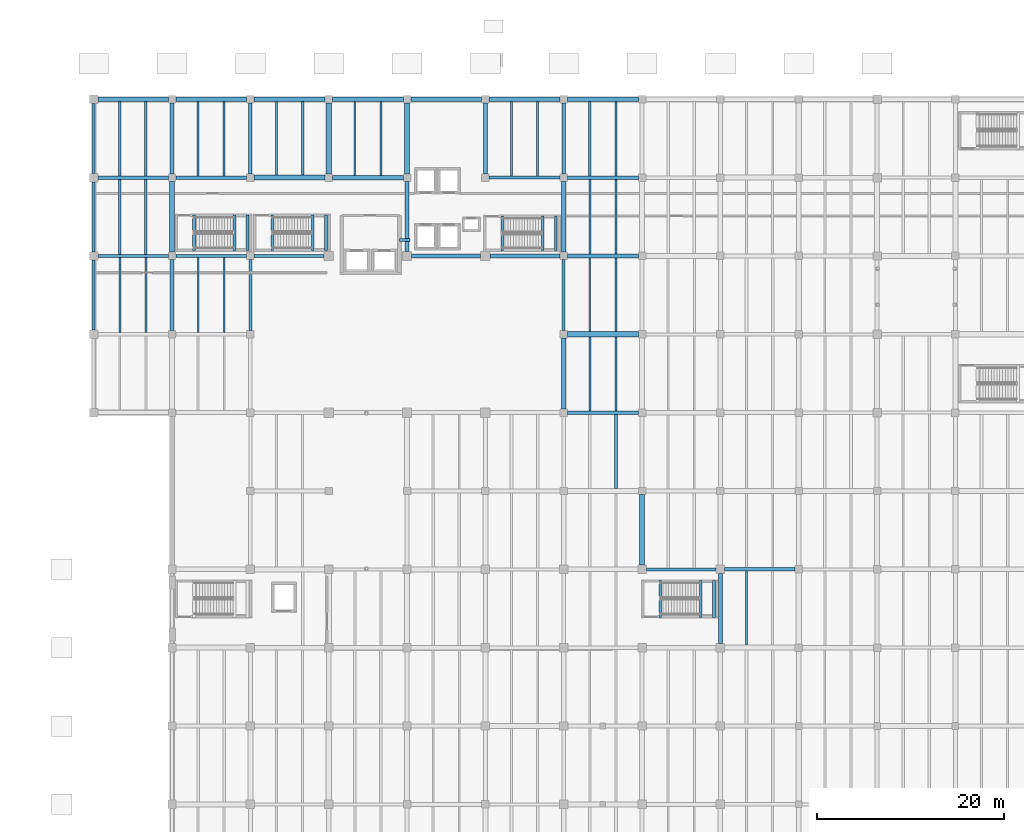
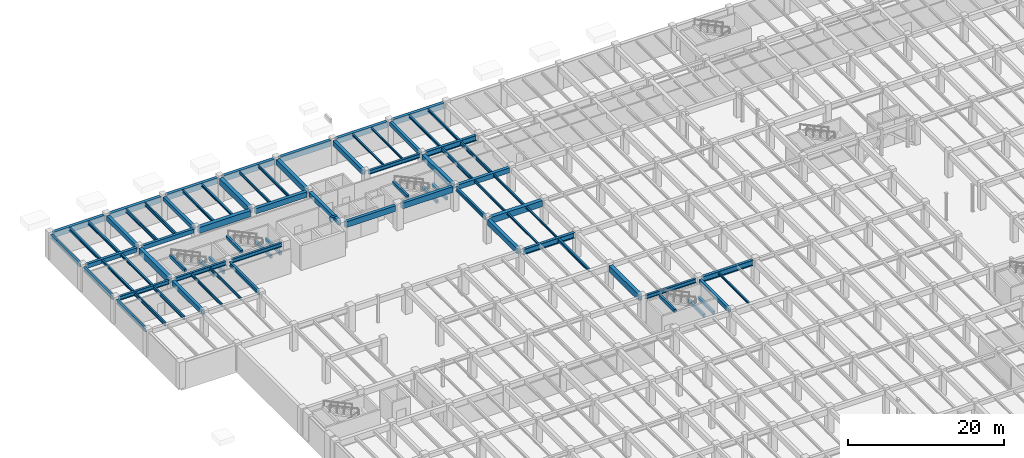
# One storey, part 19 of 63: 80 beams.
"""IFC4 building model written with IfcOpenShell, lengths in metres."""

import ifcopenshell
import ifcopenshell.guid

model = None  # the IFC model being written
_history = None  # IfcOwnerHistory: only IFC2X3 demands one
_inside = {}  # id of a spatial element -> (the spatial element, [elements in it])
_under = {}  # id of a project, library or spatial element -> (it, [spatial elements below it])
_declared = {}  # id of a project -> (the project, [libraries it declares])
_typed = {}  # id of a type object -> (the type object, [elements of that type])
_made_of = {}  # id of a material, layer set ... -> (it, [elements and type objects made of it])


def new_model(schema):
    """Start an empty IFC model of exactly this schema.

    Asked for "IFC4X3", IfcOpenShell would pick the latest addendum, in which some entities
    have other attributes; the version numbers below select the first issue.
    IFC2X3 requires an IfcOwnerHistory on every rooted entity: one is made here for all.
    """
    global model, _history
    if schema == "IFC4X3":
        model = ifcopenshell.file(schema_version=(4, 3, 0, 0))
    else:
        model = ifcopenshell.file(schema=schema)
    _inside.clear()
    _under.clear()
    _declared.clear()
    _typed.clear()
    _made_of.clear()
    _history = None
    if model.schema == "IFC2X3":
        org = make("IfcOrganization", Name="unknown")
        user = make(
            "IfcPersonAndOrganization",
            ThePerson=make("IfcPerson", FamilyName="unknown"),
            TheOrganization=org,
        )
        app = make(
            "IfcApplication",
            ApplicationDeveloper=org,
            Version="unknown",
            ApplicationFullName="unknown",
            ApplicationIdentifier="unknown",
        )
        _history = make(
            "IfcOwnerHistory",
            OwningUser=user,
            OwningApplication=app,
            ChangeAction="ADDED",
            CreationDate=0,
        )
    return model


def make(cls, **values):
    """One entity of the class cls with the attributes given. An attribute that is None is left unset."""
    return model.create_entity(
        cls, **{name: value for name, value in values.items() if value is not None}
    )


def rooted(cls, **values):
    """An entity with a GlobalId (a new one), such as an element, a storey or a relation."""
    return make(cls, GlobalId=ifcopenshell.guid.new(), OwnerHistory=_history, **values)


def si_unit(unit_type, name, prefix=None):
    """IfcSIUnit, for example si_unit("LENGTHUNIT", "METRE", prefix="MILLI")."""
    return make("IfcSIUnit", UnitType=unit_type, Prefix=prefix, Name=name)


def assignment(units):
    """IfcUnitAssignment: the units of a project."""
    return None if units is None else make("IfcUnitAssignment", Units=units)


def point(xyz):
    """IfcCartesianPoint."""
    return None if xyz is None else make("IfcCartesianPoint", Coordinates=xyz)


def direction(xyz):
    """IfcDirection."""
    return None if xyz is None else make("IfcDirection", DirectionRatios=xyz)


def frame(location, z_axis=None, x_axis=None):
    """IfcAxis2Placement3D, a coordinate frame: its origin and axes. An axis left out is left unset."""
    return make(
        "IfcAxis2Placement3D",
        Location=point(location),
        Axis=direction(z_axis),
        RefDirection=direction(x_axis),
    )


def frame_2d(location, x_axis=None):
    """IfcAxis2Placement2D, a coordinate frame in the plane: its origin and x axis."""
    return make(
        "IfcAxis2Placement2D", Location=point(location), RefDirection=direction(x_axis)
    )


def origin():
    """The frame at (0, 0, 0) with its axes left unset."""
    return frame((0.0, 0.0, 0.0))


def origin_2d():
    """The frame at (0, 0) in the plane with its x axis left unset."""
    return frame_2d((0.0, 0.0))


def place(relative_to, where):
    """IfcLocalPlacement: puts the frame where relative to a parent placement (None: the world)."""
    return make(
        "IfcLocalPlacement", PlacementRelTo=relative_to, RelativePlacement=where
    )


def context(
    kind, dimensions, precision=None, world=None, true_north=None, identifier=None
):
    """IfcGeometricRepresentationContext, for example the 3D "Model" context."""
    return make(
        "IfcGeometricRepresentationContext",
        ContextIdentifier=identifier,
        ContextType=kind,
        CoordinateSpaceDimension=dimensions,
        Precision=precision,
        WorldCoordinateSystem=world,
        TrueNorth=true_north,
    )


def subcontext(parent, identifier, kind, view, scale=None):
    """IfcGeometricRepresentationSubContext, for example "Body" below "Model"."""
    return make(
        "IfcGeometricRepresentationSubContext",
        ContextIdentifier=identifier,
        ContextType=kind,
        ParentContext=parent,
        TargetScale=scale,
        TargetView=view,
    )


def project(units=None, contexts=None):
    """IfcProject with its units and contexts."""
    return rooted(
        "IfcProject",
        Name="project",
        RepresentationContexts=contexts,
        UnitsInContext=assignment(units),
    )


def spatial(cls, under=None, at=None, **own):
    """A site, building, storey or space (cls), placed at a placement, below another one or the project."""
    s = rooted(cls, ObjectPlacement=at, **own)
    if under is not None:
        _under.setdefault(under.id(), (under, []))[1].append(s)
    return s


def profile(cls, at=None, kind="AREA", **sizes):
    """A parametric profile (cls). Its sizes go by their IFC names, for example OverallWidth=200.0."""
    return make(cls, ProfileType=kind, Position=at, **sizes)


def rectangle(**sizes):
    """IfcRectangleProfileDef."""
    return profile("IfcRectangleProfileDef", **sizes)


def i_section(**sizes):
    """IfcIShapeProfileDef."""
    return profile("IfcIShapeProfileDef", **sizes)


def extrude(swept, where, along, depth):
    """IfcExtrudedAreaSolid: the profile swept, set in the frame where, extruded along a direction by depth."""
    return make(
        "IfcExtrudedAreaSolid",
        SweptArea=swept,
        Position=where,
        ExtrudedDirection=direction(along),
        Depth=depth,
    )


def shape(context_of_items, identifier, shape_type, items):
    """IfcShapeRepresentation: the items that make up one representation, for example the "Body"."""
    return make(
        "IfcShapeRepresentation",
        ContextOfItems=context_of_items,
        RepresentationIdentifier=identifier,
        RepresentationType=shape_type,
        Items=items,
    )


def material(Name=None, Category=None):
    """IfcMaterial."""
    return make("IfcMaterial", Name=Name, Category=Category)


def material_profile(
    of_material, cross_section, Name=None, Category=None, Priority=None
):
    """IfcMaterialProfile: a cross section and its material."""
    return make(
        "IfcMaterialProfile",
        Name=Name,
        Material=of_material,
        Profile=cross_section,
        Priority=Priority,
        Category=Category,
    )


def profile_set(profiles, Name=None, composite=None):
    """IfcMaterialProfileSet."""
    return make(
        "IfcMaterialProfileSet",
        Name=Name,
        MaterialProfiles=profiles,
        CompositeProfile=composite,
    )


def made_of(thing, what):
    """Note that an element or type object is made of a material, layer set ...; save() writes the relation."""
    if what is not None:
        _made_of.setdefault(what.id(), (what, []))[1].append(thing)
    return thing


def type_object(cls, material=None, **own):
    """A type object (cls), such as IfcWallType, which elements share."""
    return made_of(rooted(cls, **own), material)


def element(
    cls,
    number,
    at=None,
    inside=None,
    cuts=None,
    type_object=None,
    material=None,
    context=None,
    identifier="Body",
    shape_type=None,
    held_by="IfcProductDefinitionShape",
    body=None,
    shapes=None,
    **own,
):
    """One element of the class cls, such as IfcWall. Its Tag is "e" and its number.

    at: its placement. inside: the storey or other place that contains it. cuts: it is an
    opening in that element (IfcRelVoidsElement). A single representation is given by context,
    identifier, shape_type and body (its items); several are given by shapes. held_by: the class
    of the entity that holds the representations. save() writes the other relations.
    """
    e = rooted(cls, Tag="e%d" % number, ObjectPlacement=at, **own)
    if body is not None:
        shapes = [shape(context, identifier, shape_type, body)]
    if shapes is not None:
        e.Representation = make(held_by, Representations=shapes)
    if inside is not None:
        _inside.setdefault(inside.id(), (inside, []))[1].append(e)
    if cuts is not None:
        rooted(
            "IfcRelVoidsElement", RelatingBuildingElement=cuts, RelatedOpeningElement=e
        )
    if type_object is not None:
        _typed.setdefault(type_object.id(), (type_object, []))[1].append(e)
    return made_of(e, material)


def aggregate(whole, parts):
    """IfcRelAggregates: a whole, such as a stair, and the parts it consists of."""
    return rooted("IfcRelAggregates", RelatingObject=whole, RelatedObjects=parts)


def save(model, path):
    """Write the relations noted so far, then the file.

    IfcRelAggregates (storeys below a building ...), IfcRelContainedInSpatialStructure (elements
    in a storey), IfcRelDefinesByType, IfcRelAssociatesMaterial and IfcRelDeclares: one each for
    every whole, place, type object, material and project.
    """
    for whole, parts in _under.values():
        aggregate(whole, parts)
    for where, things in _inside.values():
        rooted(
            "IfcRelContainedInSpatialStructure",
            RelatedElements=things,
            RelatingStructure=where,
        )
    for kind, things in _typed.values():
        rooted("IfcRelDefinesByType", RelatedObjects=things, RelatingType=kind)
    for what, things in _made_of.values():
        rooted("IfcRelAssociatesMaterial", RelatedObjects=things, RelatingMaterial=what)
    for by, libraries in _declared.values():
        rooted("IfcRelDeclares", RelatingContext=by, RelatedDefinitions=libraries)
    model.write(path)


model = new_model("IFC4")

# Units and contexts
model_context = context("Model", 3, precision=1e-05, world=origin(), true_north=direction((0.0, 1.0)))
body_context = subcontext(model_context, "Body", "Model", "MODEL_VIEW")
ifc_project = project(units=[si_unit("LENGTHUNIT", "METRE"), si_unit("AREAUNIT", "SQUARE_METRE"), si_unit("VOLUMEUNIT", "CUBIC_METRE"), si_unit("PLANEANGLEUNIT", "RADIAN"), si_unit("MASSUNIT", "GRAM", prefix="KILO")], contexts=[model_context])

# Site, building, storey
site_placement = place(None, origin())
site = spatial("IfcSite", under=ifc_project, at=site_placement, CompositionType="ELEMENT")
building_placement = place(site_placement, origin())
building = spatial("IfcBuilding", under=site, at=building_placement, Name="Cumbredor Promenade Congress Hotel", CompositionType="ELEMENT")
storey_placement = place(building_placement, frame((0.0, 0.0, -4.199951171875)))
storey = spatial("IfcBuildingStorey", under=building, at=storey_placement, Name="B01", CompositionType="ELEMENT", Elevation=-4.199951171875)

# Beams
ifc_material_1 = material(Name="Concrete C40/50", Category="concrete")
ifc_material_profile_1 = material_profile(ifc_material_1, rectangle(XDim=0.39990234375, YDim=0.64990234375, at=origin_2d()), Name="RC BEAM 400x650")
ifc_profile_set_1 = profile_set([ifc_material_profile_1], Name="Concrete C40/50")
beam_type_1 = type_object("IfcBeamType", Name="BM-RC-400x650", PredefinedType="BEAM", material=ifc_profile_set_1)
beam_1_placement = place(storey_placement, frame((0.449951171875, 109.199951171875, 3.52490234375), z_axis=(1.0, 0.0, 0.0), x_axis=(0.0, 1.0, 0.0)))
element("IfcBeam", 1, at=beam_1_placement, inside=storey, type_object=beam_type_1, Name="L00 X-Grid Beam 007", PredefinedType="BEAM", context=body_context, shape_type="SweptSolid", body=[
    extrude(rectangle(XDim=0.39990234375, YDim=0.64990234375, at=origin_2d()), origin(), (0.0, 0.0, 1.0), 7.550048828125),
])
for number, where, z_axis, x_axis, name in (
    (2, (8.800048828125, 109.199951171875, 3.52490234375), (1.0, 0.0, 0.0), (0.0, 1.0, 0.0), "L00 X-Grid Beam 031"),
    (3, (16.800048828125, 109.60009765625, 3.52490234375), (0.0, 1.0, 0.0), (-1.0, 0.0, 0.0), "L00 Y-Grid Beam 055"),
    (4, (50.39990234375, 109.60009765625, 3.52490234375), (0.0, 1.0, 0.0), (-1.0, 0.0, 0.0), "L00 Y-Grid Beam 147"),
):
    element("IfcBeam", number, at=place(storey_placement, frame(where, z_axis=z_axis, x_axis=x_axis)), inside=storey, type_object=beam_type_1, Name=name, PredefinedType="BEAM", context=body_context, shape_type="SweptSolid", body=[
        extrude(rectangle(XDim=0.39990234375, YDim=0.64990234375, at=origin_2d()), origin(), (0.0, 0.0, 1.0), 7.599853515625),
    ])
beam_2_placement = place(storey_placement, frame((67.199951171875, 59.25, 3.52490234375), z_axis=(0.0, 1.0, 0.0), x_axis=(-1.0, 0.0, 0.0)))
element("IfcBeam", 5, at=beam_2_placement, inside=storey, type_object=beam_type_1, Name="L00 Y-Grid Beam 187", PredefinedType="BEAM", context=body_context, shape_type="SweptSolid", body=[
    extrude(rectangle(XDim=0.39990234375, YDim=0.64990234375, at=origin_2d()), origin(), (0.0, 0.0, 1.0), 7.5),
])
ifc_material_profile_2 = material_profile(ifc_material_1, rectangle(XDim=0.449951171875, YDim=0.75, at=origin_2d()), Name="RC BEAM 450x750")
ifc_profile_set_2 = profile_set([ifc_material_profile_2], Name="Concrete C40/50")
beam_type_2 = type_object("IfcBeamType", Name="BM-RC-450x750", PredefinedType="BEAM", material=ifc_profile_set_2)
for number, where, z_axis, x_axis, name in (
    (6, (8.39990234375, 92.800048828125, 3.474853515625), (0.0, 1.0, 0.0), (-1.0, 0.0, 0.0), "L00 Y-Grid Beam 028"),
    (7, (8.39990234375, 109.60009765625, 3.474853515625), (0.0, 1.0, 0.0), (-1.0, 0.0, 0.0), "L00 Y-Grid Beam 032"),
):
    element("IfcBeam", number, at=place(storey_placement, frame(where, z_axis=z_axis, x_axis=x_axis)), inside=storey, type_object=beam_type_2, Name=name, PredefinedType="BEAM", context=body_context, shape_type="SweptSolid", body=[
        extrude(rectangle(XDim=0.449951171875, YDim=0.75, at=origin_2d()), origin(), (0.0, 0.0, 1.0), 7.599853515625),
    ])
beam_3_placement = place(storey_placement, frame((33.60009765625, 101.300048828125, 3.474853515625), z_axis=(0.0, 1.0, 0.0), x_axis=(-1.0, 0.0, 0.0)))
element("IfcBeam", 8, at=beam_3_placement, inside=storey, type_object=beam_type_2, Name="L00 Y-Grid Beam 096", PredefinedType="BEAM", context=body_context, shape_type="SweptSolid", body=[
    extrude(rectangle(XDim=0.449951171875, YDim=0.75, at=origin_2d()), origin(), (0.0, 0.0, 1.0), 7.5),
])
for number, where, z_axis, x_axis, name in (
    (9, (42.0, 109.60009765625, 3.474853515625), (0.0, 1.0, 0.0), (-1.0, 0.0, 0.0), "L00 Y-Grid Beam 120"),
    (10, (50.800048828125, 100.800048828125, 3.474853515625), (1.0, 0.0, 0.0), (0.0, 1.0, 0.0), "L00 X-Grid Beam 144"),
):
    element("IfcBeam", number, at=place(storey_placement, frame(where, z_axis=z_axis, x_axis=x_axis)), inside=storey, type_object=beam_type_2, Name=name, PredefinedType="BEAM", context=body_context, shape_type="SweptSolid", body=[
        extrude(rectangle(XDim=0.449951171875, YDim=0.75, at=origin_2d()), origin(), (0.0, 0.0, 1.0), 7.599853515625),
    ])
ifc_material_profile_3 = material_profile(ifc_material_1, rectangle(XDim=0.5, YDim=0.85009765625, at=origin_2d()), Name="RC BEAM 500x850")
ifc_profile_set_3 = profile_set([ifc_material_profile_3], Name="Concrete C40/50")
beam_type_3 = type_object("IfcBeamType", Name="BM-RC-500x850", PredefinedType="BEAM", material=ifc_profile_set_3)
for number, where, z_axis, x_axis, name in (
    (11, (25.60009765625, 109.199951171875, 3.425048828125), (1.0, 0.0, 0.0), (0.0, 1.0, 0.0), "L00 X-Grid Beam 073"),
    (12, (33.60009765625, 109.60009765625, 3.425048828125), (0.0, 1.0, 0.0), (-1.0, 0.0, 0.0), "L00 Y-Grid Beam 097"),
):
    element("IfcBeam", number, at=place(storey_placement, frame(where, z_axis=z_axis, x_axis=x_axis)), inside=storey, type_object=beam_type_3, Name=name, PredefinedType="BEAM", context=body_context, shape_type="SweptSolid", body=[
        extrude(rectangle(XDim=0.5, YDim=0.85009765625, at=origin_2d()), origin(), (0.0, 0.0, 1.0), 7.599853515625),
    ])
for number, where, z_axis, x_axis, name in (
    (13, (50.39990234375, 84.39990234375, 3.425048828125), (0.0, 1.0, 0.0), (-1.0, 0.0, 0.0), "L00 Y-Grid Beam 141"),
    (14, (50.39990234375, 101.199951171875, 3.425048828125), (0.0, 1.0, 0.0), (-1.0, 0.0, 0.0), "L00 Y-Grid Beam 145"),
):
    element("IfcBeam", number, at=place(storey_placement, frame(where, z_axis=z_axis, x_axis=x_axis)), inside=storey, type_object=beam_type_3, Name=name, PredefinedType="BEAM", context=body_context, shape_type="SweptSolid", body=[
        extrude(rectangle(XDim=0.5, YDim=0.85009765625, at=origin_2d()), origin(), (0.0, 0.0, 1.0), 7.60009765625),
    ])
ifc_material_profile_4 = material_profile(ifc_material_1, rectangle(XDim=0.550048828125, YDim=0.949951171875, at=origin_2d()), Name="RC BEAM 550x950")
ifc_profile_set_4 = profile_set([ifc_material_profile_4], Name="Concrete C40/50")
beam_type_4 = type_object("IfcBeamType", Name="BM-RC-550x950", PredefinedType="BEAM", material=ifc_profile_set_4)
for number, where, z_axis, x_axis, name in (
    (15, (8.39990234375, 101.199951171875, 3.375), (0.0, 1.0, 0.0), (-1.0, 0.0, 0.0), "L00 Y-Grid Beam 030"),
    (16, (17.199951171875, 109.199951171875, 3.375), (1.0, 0.0, 0.0), (0.0, 1.0, 0.0), "L00 X-Grid Beam 054"),
):
    element("IfcBeam", number, at=place(storey_placement, frame(where, z_axis=z_axis, x_axis=x_axis)), inside=storey, type_object=beam_type_4, Name=name, PredefinedType="BEAM", context=body_context, shape_type="SweptSolid", body=[
        extrude(rectangle(XDim=0.550048828125, YDim=0.949951171875, at=origin_2d()), origin(), (0.0, 0.0, 1.0), 7.60009765625),
    ])
for number, where, z_axis, x_axis, name in (
    (17, (25.199951171875, 109.60009765625, 3.375), (0.0, 1.0, 0.0), (-1.0, 0.0, 0.0), "L00 Y-Grid Beam 074"),
    (18, (50.800048828125, 92.39990234375, 3.375), (1.0, 0.0, 0.0), (0.0, 1.0, 0.0), "L00 X-Grid Beam 142"),
):
    element("IfcBeam", number, at=place(storey_placement, frame(where, z_axis=z_axis, x_axis=x_axis)), inside=storey, type_object=beam_type_4, Name=name, PredefinedType="BEAM", context=body_context, shape_type="SweptSolid", body=[
        extrude(rectangle(XDim=0.550048828125, YDim=0.949951171875, at=origin_2d()), origin(), (0.0, 0.0, 1.0), 7.599853515625),
    ])
beam_4_placement = place(storey_placement, frame((58.800048828125, 67.64990234375, 3.375), z_axis=(0.0, 1.0, 0.0), x_axis=(-1.0, 0.0, 0.0)))
element("IfcBeam", 19, at=beam_4_placement, inside=storey, type_object=beam_type_4, Name="L00 Y-Grid Beam 162", PredefinedType="BEAM", context=body_context, shape_type="SweptSolid", body=[
    extrude(rectangle(XDim=0.550048828125, YDim=0.949951171875, at=origin_2d()), origin(), (0.0, 0.0, 1.0), 7.550048828125),
])
ifc_material_2 = material(Name="Steel ASTM A992 Grade 50", Category="steel")
ifc_material_profile_5 = material_profile(ifc_material_2, i_section(OverallWidth=0.323974609375, OverallDepth=0.611083984375, WebThickness=0.0126953125, FlangeThickness=0.01904296875, at=origin_2d()), Name="W24X104")
ifc_profile_set_5 = profile_set([ifc_material_profile_5], Name="Steel ASTM A992 Grade 50")
beam_type_5 = type_object("IfcBeamType", Name="BM-W24X104", PredefinedType="BEAM", material=ifc_profile_set_5)
beam_5_placement = place(storey_placement, frame((0.449951171875, 100.800048828125, 3.54443359375), z_axis=(1.0, 0.0, 0.0), x_axis=(0.0, 1.0, 0.0)))
element("IfcBeam", 20, at=beam_5_placement, inside=storey, type_object=beam_type_5, Name="L00 X-Grid Beam 005", PredefinedType="BEAM", context=body_context, shape_type="SweptSolid", body=[
    extrude(i_section(OverallWidth=0.323974609375, OverallDepth=0.611083984375, WebThickness=0.0126953125, FlangeThickness=0.01904296875, at=origin_2d()), origin(), (0.0, 0.0, 1.0), 7.550048828125),
])
beam_6_placement = place(storey_placement, frame((8.800048828125, 100.800048828125, 3.54443359375), z_axis=(1.0, 0.0, 0.0), x_axis=(0.0, 1.0, 0.0)))
element("IfcBeam", 21, at=beam_6_placement, inside=storey, type_object=beam_type_5, Name="L00 X-Grid Beam 029", PredefinedType="BEAM", context=body_context, shape_type="SweptSolid", body=[
    extrude(i_section(OverallWidth=0.323974609375, OverallDepth=0.611083984375, WebThickness=0.0126953125, FlangeThickness=0.01904296875, at=origin_2d()), origin(), (0.0, 0.0, 1.0), 7.599853515625),
])
beam_7_placement = place(storey_placement, frame((17.199951171875, 100.800048828125, 3.54443359375), z_axis=(1.0, 0.0, 0.0), x_axis=(0.0, 1.0, 0.0)))
element("IfcBeam", 22, at=beam_7_placement, inside=storey, type_object=beam_type_5, Name="L00 X-Grid Beam 053", PredefinedType="BEAM", context=body_context, shape_type="SweptSolid", body=[
    extrude(i_section(OverallWidth=0.323974609375, OverallDepth=0.611083984375, WebThickness=0.0126953125, FlangeThickness=0.01904296875, at=origin_2d()), origin(), (0.0, 0.0, 1.0), 7.5),
])
beam_8_placement = place(storey_placement, frame((42.39990234375, 109.199951171875, 3.54443359375), z_axis=(1.0, 0.0, 0.0), x_axis=(0.0, 1.0, 0.0)))
element("IfcBeam", 23, at=beam_8_placement, inside=storey, type_object=beam_type_5, Name="L00 X-Grid Beam 119", PredefinedType="BEAM", context=body_context, shape_type="SweptSolid", body=[
    extrude(i_section(OverallWidth=0.323974609375, OverallDepth=0.611083984375, WebThickness=0.0126953125, FlangeThickness=0.01904296875, at=origin_2d()), origin(), (0.0, 0.0, 1.0), 7.60009765625),
])
beam_9_placement = place(storey_placement, frame((59.25, 67.199951171875, 3.54443359375), z_axis=(1.0, 0.0, 0.0), x_axis=(0.0, 1.0, 0.0)))
element("IfcBeam", 24, at=beam_9_placement, inside=storey, type_object=beam_type_5, Name="L00 X-Grid Beam 161", PredefinedType="BEAM", context=body_context, shape_type="SweptSolid", body=[
    extrude(i_section(OverallWidth=0.323974609375, OverallDepth=0.611083984375, WebThickness=0.0126953125, FlangeThickness=0.01904296875, at=origin_2d()), origin(), (0.0, 0.0, 1.0), 7.5),
])
ifc_material_profile_6 = material_profile(ifc_material_2, i_section(OverallWidth=0.39990234375, OverallDepth=0.85498046875, WebThickness=0.018310546875, FlangeThickness=0.029296875, at=origin_2d()), Name="W33X201")
ifc_profile_set_6 = profile_set([ifc_material_profile_6], Name="Steel ASTM A992 Grade 50")
beam_type_6 = type_object("IfcBeamType", Name="BM-W33X201", PredefinedType="BEAM", material=ifc_profile_set_6)
for number, where, z_axis, x_axis, name in (
    (25, (50.800048828125, 84.0, 3.42236328125), (1.0, 0.0, 0.0), (0.0, 1.0, 0.0), "L00 X-Grid Beam 140"),
    (26, (50.800048828125, 109.199951171875, 3.42236328125), (1.0, 0.0, 0.0), (0.0, 1.0, 0.0), "L00 X-Grid Beam 146"),
):
    element("IfcBeam", number, at=place(storey_placement, frame(where, z_axis=z_axis, x_axis=x_axis)), inside=storey, type_object=beam_type_6, Name=name, PredefinedType="BEAM", context=body_context, shape_type="SweptSolid", body=[
        extrude(i_section(OverallWidth=0.39990234375, OverallDepth=0.85498046875, WebThickness=0.018310546875, FlangeThickness=0.029296875, at=origin_2d()), origin(), (0.0, 0.0, 1.0), 7.599853515625),
    ])
beam_10_placement = place(storey_placement, frame((67.64990234375, 67.199951171875, 3.42236328125), z_axis=(1.0, 0.0, 0.0), x_axis=(0.0, 1.0, 0.0)))
element("IfcBeam", 27, at=beam_10_placement, inside=storey, type_object=beam_type_6, Name="L00 X-Grid Beam 188", PredefinedType="BEAM", context=body_context, shape_type="SweptSolid", body=[
    extrude(i_section(OverallWidth=0.39990234375, OverallDepth=0.85498046875, WebThickness=0.018310546875, FlangeThickness=0.029296875, at=origin_2d()), origin(), (0.0, 0.0, 1.0), 7.550048828125),
])
ifc_material_profile_7 = material_profile(ifc_material_2, i_section(OverallWidth=0.202880859375, OverallDepth=0.302978515625, WebThickness=0.007568359375, FlangeThickness=0.01318359375, at=origin_2d()), Name="W12X40")
ifc_profile_set_7 = profile_set([ifc_material_profile_7], Name="Steel ASTM A992 Grade 50")
beam_type_7 = type_object("IfcBeamType", Name="JST-W12X40", PredefinedType="JOIST", material=ifc_profile_set_7)
for number, where, z_axis, x_axis, name in (
    (28, (44.800048828125, 109.362060546875, 3.698486328125), (0.0, 1.0, 0.0), (-1.0, 0.0, 0.0), "L00 Secondary Floor Joist 0094"),
    (29, (47.60009765625, 109.362060546875, 3.698486328125), (0.0, 1.0, 0.0), (-1.0, 0.0, 0.0), "L00 Secondary Floor Joist 0095"),
):
    element("IfcBeam", number, at=place(storey_placement, frame(where, z_axis=z_axis, x_axis=x_axis)), inside=storey, type_object=beam_type_7, Name=name, PredefinedType="JOIST", context=body_context, shape_type="SweptSolid", body=[
        extrude(i_section(OverallWidth=0.202880859375, OverallDepth=0.302978515625, WebThickness=0.007568359375, FlangeThickness=0.01318359375, at=origin_2d()), origin(), (0.0, 0.0, 1.0), 8.012939453125),
    ])
for number, where, z_axis, x_axis, name in (
    (30, (53.199951171875, 84.199951171875, 3.698486328125), (0.0, 1.0, 0.0), (-1.0, 0.0, 0.0), "L00 Secondary Floor Joist 0114"),
    (31, (56.0, 84.199951171875, 3.698486328125), (0.0, 1.0, 0.0), (-1.0, 0.0, 0.0), "L00 Secondary Floor Joist 0115"),
    (32, (70.0, 59.074951171875, 3.698486328125), (0.0, 1.0, 0.0), (-1.0, 0.0, 0.0), "L00 Secondary Floor Joist 0154"),
):
    element("IfcBeam", number, at=place(storey_placement, frame(where, z_axis=z_axis, x_axis=x_axis)), inside=storey, type_object=beam_type_7, Name=name, PredefinedType="JOIST", context=body_context, shape_type="SweptSolid", body=[
        extrude(i_section(OverallWidth=0.202880859375, OverallDepth=0.302978515625, WebThickness=0.007568359375, FlangeThickness=0.01318359375, at=origin_2d()), origin(), (0.0, 0.0, 1.0), 7.925048828125),
    ])
ifc_material_profile_8 = material_profile(ifc_material_2, i_section(OverallWidth=0.2548828125, OverallDepth=0.35693359375, WebThickness=0.010498046875, FlangeThickness=0.018310546875, at=origin_2d()), Name="W14X68")
ifc_profile_set_8 = profile_set([ifc_material_profile_8], Name="Steel ASTM A992 Grade 50")
beam_type_8 = type_object("IfcBeamType", Name="JST-W14X68", PredefinedType="JOIST", material=ifc_profile_set_8)
for number, where, z_axis, x_axis, name in (
    (33, (2.800048828125, 100.9619140625, 3.67138671875), (0.0, 1.0, 0.0), (-1.0, 0.0, 0.0), "L00 Secondary Floor Joist 0005"),
    (34, (5.60009765625, 100.9619140625, 3.67138671875), (0.0, 1.0, 0.0), (-1.0, 0.0, 0.0), "L00 Secondary Floor Joist 0006"),
):
    element("IfcBeam", number, at=place(storey_placement, frame(where, z_axis=z_axis, x_axis=x_axis)), inside=storey, type_object=beam_type_8, Name=name, PredefinedType="JOIST", context=body_context, shape_type="SweptSolid", body=[
        extrude(i_section(OverallWidth=0.2548828125, OverallDepth=0.35693359375, WebThickness=0.010498046875, FlangeThickness=0.018310546875, at=origin_2d()), origin(), (0.0, 0.0, 1.0), 8.0380859375),
    ])
for number, where, z_axis, x_axis, name in (
    (35, (19.60009765625, 109.47509765625, 3.67138671875), (0.0, 1.0, 0.0), (-1.0, 0.0, 0.0), "L00 Secondary Floor Joist 0040"),
    (36, (22.39990234375, 109.47509765625, 3.67138671875), (0.0, 1.0, 0.0), (-1.0, 0.0, 0.0), "L00 Secondary Floor Joist 0041"),
):
    element("IfcBeam", number, at=place(storey_placement, frame(where, z_axis=z_axis, x_axis=x_axis)), inside=storey, type_object=beam_type_8, Name=name, PredefinedType="JOIST", context=body_context, shape_type="SweptSolid", body=[
        extrude(i_section(OverallWidth=0.2548828125, OverallDepth=0.35693359375, WebThickness=0.010498046875, FlangeThickness=0.018310546875, at=origin_2d()), origin(), (0.0, 0.0, 1.0), 7.89990234375),
    ])
for number, where, z_axis, x_axis, name in (
    (37, (53.199951171875, 109.39990234375, 3.67138671875), (0.0, 1.0, 0.0), (-1.0, 0.0, 0.0), "L00 Secondary Floor Joist 0120"),
    (38, (56.0, 109.39990234375, 3.67138671875), (0.0, 1.0, 0.0), (-1.0, 0.0, 0.0), "L00 Secondary Floor Joist 0121"),
):
    element("IfcBeam", number, at=place(storey_placement, frame(where, z_axis=z_axis, x_axis=x_axis)), inside=storey, type_object=beam_type_8, Name=name, PredefinedType="JOIST", context=body_context, shape_type="SweptSolid", body=[
        extrude(i_section(OverallWidth=0.2548828125, OverallDepth=0.35693359375, WebThickness=0.010498046875, FlangeThickness=0.018310546875, at=origin_2d()), origin(), (0.0, 0.0, 1.0), 7.97509765625),
    ])
ifc_material_profile_9 = material_profile(ifc_material_2, i_section(OverallWidth=0.180908203125, OverallDepth=0.4169921875, WebThickness=0.010986328125, FlangeThickness=0.018310546875, at=origin_2d()), Name="W16X57")
ifc_profile_set_9 = profile_set([ifc_material_profile_9], Name="Steel ASTM A992 Grade 50")
beam_type_9 = type_object("IfcBeamType", Name="JST-W16X57", PredefinedType="JOIST", material=ifc_profile_set_9)
for number, where, z_axis, x_axis, name in (
    (39, (11.199951171875, 92.60009765625, 3.641357421875), (0.0, 1.0, 0.0), (-1.0, 0.0, 0.0), "L00 Secondary Floor Joist 0021"),
    (40, (14.0, 92.60009765625, 3.641357421875), (0.0, 1.0, 0.0), (-1.0, 0.0, 0.0), "L00 Secondary Floor Joist 0022"),
):
    element("IfcBeam", number, at=place(storey_placement, frame(where, z_axis=z_axis, x_axis=x_axis)), inside=storey, type_object=beam_type_9, Name=name, PredefinedType="JOIST", context=body_context, shape_type="SweptSolid", body=[
        extrude(i_section(OverallWidth=0.180908203125, OverallDepth=0.4169921875, WebThickness=0.010986328125, FlangeThickness=0.018310546875, at=origin_2d()), origin(), (0.0, 0.0, 1.0), 8.037841796875),
    ])
for number, where, z_axis, x_axis, name in (
    (41, (28.0, 109.449951171875, 3.641357421875), (0.0, 1.0, 0.0), (-1.0, 0.0, 0.0), "L00 Secondary Floor Joist 0056"),
    (42, (30.800048828125, 109.449951171875, 3.641357421875), (0.0, 1.0, 0.0), (-1.0, 0.0, 0.0), "L00 Secondary Floor Joist 0057"),
):
    element("IfcBeam", number, at=place(storey_placement, frame(where, z_axis=z_axis, x_axis=x_axis)), inside=storey, type_object=beam_type_9, Name=name, PredefinedType="JOIST", context=body_context, shape_type="SweptSolid", body=[
        extrude(i_section(OverallWidth=0.180908203125, OverallDepth=0.4169921875, WebThickness=0.010986328125, FlangeThickness=0.018310546875, at=origin_2d()), origin(), (0.0, 0.0, 1.0), 7.925048828125),
    ])
for number, where, z_axis, x_axis, name in (
    (43, (53.199951171875, 92.675048828125, 3.641357421875), (0.0, 1.0, 0.0), (-1.0, 0.0, 0.0), "L00 Secondary Floor Joist 0116"),
    (44, (56.0, 92.675048828125, 3.641357421875), (0.0, 1.0, 0.0), (-1.0, 0.0, 0.0), "L00 Secondary Floor Joist 0117"),
):
    element("IfcBeam", number, at=place(storey_placement, frame(where, z_axis=z_axis, x_axis=x_axis)), inside=storey, type_object=beam_type_9, Name=name, PredefinedType="JOIST", context=body_context, shape_type="SweptSolid", body=[
        extrude(i_section(OverallWidth=0.180908203125, OverallDepth=0.4169921875, WebThickness=0.010986328125, FlangeThickness=0.018310546875, at=origin_2d()), origin(), (0.0, 0.0, 1.0), 7.89990234375),
    ])
ifc_material_profile_10 = material_profile(ifc_material_2, i_section(OverallWidth=0.280029296875, OverallDepth=0.462890625, WebThickness=0.0107421875, FlangeThickness=0.017333984375, at=origin_2d()), Name="W18X76")
ifc_profile_set_10 = profile_set([ifc_material_profile_10], Name="Steel ASTM A992 Grade 50")
beam_type_10 = type_object("IfcBeamType", Name="JST-W18X76", PredefinedType="JOIST", material=ifc_profile_set_10)
for number, where, z_axis, x_axis, name in (
    (45, (2.800048828125, 109.39990234375, 3.618408203125), (0.0, 1.0, 0.0), (-1.0, 0.0, 0.0), "L00 Secondary Floor Joist 0007"),
    (46, (5.60009765625, 109.39990234375, 3.618408203125), (0.0, 1.0, 0.0), (-1.0, 0.0, 0.0), "L00 Secondary Floor Joist 0008"),
):
    element("IfcBeam", number, at=place(storey_placement, frame(where, z_axis=z_axis, x_axis=x_axis)), inside=storey, type_object=beam_type_10, Name=name, PredefinedType="JOIST", context=body_context, shape_type="SweptSolid", body=[
        extrude(i_section(OverallWidth=0.280029296875, OverallDepth=0.462890625, WebThickness=0.0107421875, FlangeThickness=0.017333984375, at=origin_2d()), origin(), (0.0, 0.0, 1.0), 7.97509765625),
    ])
beam_11_placement = place(storey_placement, frame((56.0, 75.875, 3.618408203125), z_axis=(0.0, 1.0, 0.0), x_axis=(-1.0, 0.0, 0.0)))
element("IfcBeam", 47, at=beam_11_placement, inside=storey, type_object=beam_type_10, Name="L00 Secondary Floor Joist 0113", PredefinedType="JOIST", context=body_context, shape_type="SweptSolid", body=[
    extrude(i_section(OverallWidth=0.280029296875, OverallDepth=0.462890625, WebThickness=0.0107421875, FlangeThickness=0.017333984375, at=origin_2d()), origin(), (0.0, 0.0, 1.0), 7.925048828125),
])
ifc_material_profile_11 = material_profile(ifc_material_2, i_section(OverallWidth=0.214111328125, OverallDepth=0.549072265625, WebThickness=0.0146484375, FlangeThickness=0.023681640625, at=origin_2d()), Name="W21X93")
ifc_profile_set_11 = profile_set([ifc_material_profile_11], Name="Steel ASTM A992 Grade 50")
beam_type_11 = type_object("IfcBeamType", Name="JST-W21X93", PredefinedType="JOIST", material=ifc_profile_set_11)
for number, where, z_axis, x_axis, name in (
    (48, (2.800048828125, 92.60009765625, 3.575439453125), (0.0, 1.0, 0.0), (-1.0, 0.0, 0.0), "L00 Secondary Floor Joist 0003"),
    (49, (5.60009765625, 92.60009765625, 3.575439453125), (0.0, 1.0, 0.0), (-1.0, 0.0, 0.0), "L00 Secondary Floor Joist 0004"),
):
    element("IfcBeam", number, at=place(storey_placement, frame(where, z_axis=z_axis, x_axis=x_axis)), inside=storey, type_object=beam_type_11, Name=name, PredefinedType="JOIST", context=body_context, shape_type="SweptSolid", body=[
        extrude(i_section(OverallWidth=0.214111328125, OverallDepth=0.549072265625, WebThickness=0.0146484375, FlangeThickness=0.023681640625, at=origin_2d()), origin(), (0.0, 0.0, 1.0), 8.037841796875),
    ])
for number, where, z_axis, x_axis, name in (
    (50, (11.199951171875, 109.39990234375, 3.575439453125), (0.0, 1.0, 0.0), (-1.0, 0.0, 0.0), "L00 Secondary Floor Joist 0023"),
    (51, (14.0, 109.39990234375, 3.575439453125), (0.0, 1.0, 0.0), (-1.0, 0.0, 0.0), "L00 Secondary Floor Joist 0024"),
    (52, (53.199951171875, 101.02490234375, 3.575439453125), (0.0, 1.0, 0.0), (-1.0, 0.0, 0.0), "L00 Secondary Floor Joist 0118"),
    (53, (56.0, 101.02490234375, 3.575439453125), (0.0, 1.0, 0.0), (-1.0, 0.0, 0.0), "L00 Secondary Floor Joist 0119"),
):
    element("IfcBeam", number, at=place(storey_placement, frame(where, z_axis=z_axis, x_axis=x_axis)), inside=storey, type_object=beam_type_11, Name=name, PredefinedType="JOIST", context=body_context, shape_type="SweptSolid", body=[
        extrude(i_section(OverallWidth=0.214111328125, OverallDepth=0.549072265625, WebThickness=0.0146484375, FlangeThickness=0.023681640625, at=origin_2d()), origin(), (0.0, 0.0, 1.0), 7.97509765625),
    ])
ifc_material_profile_12 = material_profile(ifc_material_1, rectangle(XDim=0.300048828125, YDim=0.5, at=origin_2d()), Name="RC LINTEL 300x500")
ifc_profile_set_12 = profile_set([ifc_material_profile_12], Name="Concrete C40/50")
beam_type_12 = type_object("IfcBeamType", Name="LN-RC-300x500", PredefinedType="LINTEL", material=ifc_profile_set_12)
for number, where, z_axis, x_axis, name in (
    (54, (16.5, 101.3701171875, 1.64990234375), (0.0, 1.0, 0.0), (-1.0, 0.0, 0.0), "B01 Stair ST-01 Landing Ledger Beam E"),
    (55, (15.10009765625, 101.3701171875, 1.64990234375), (0.0, 1.0, 0.0), (-1.0, 0.0, 0.0), "B01 Stair ST-01 Landing Ledger Beam W"),
    (56, (10.75, 101.3701171875, 3.949951171875), (0.0, 1.0, 0.0), (-1.0, 0.0, 0.0), "L00 Stair ST-01 Well Header Trimmer Beam"),
    (57, (24.89990234375, 101.3701171875, 1.64990234375), (0.0, 1.0, 0.0), (-1.0, 0.0, 0.0), "B01 Stair ST-02 Landing Ledger Beam E"),
    (58, (23.5, 101.3701171875, 1.64990234375), (0.0, 1.0, 0.0), (-1.0, 0.0, 0.0), "B01 Stair ST-02 Landing Ledger Beam W"),
    (59, (19.14990234375, 101.3701171875, 3.949951171875), (0.0, 1.0, 0.0), (-1.0, 0.0, 0.0), "L00 Stair ST-02 Well Header Trimmer Beam"),
):
    element("IfcBeam", number, at=place(storey_placement, frame(where, z_axis=z_axis, x_axis=x_axis)), inside=storey, type_object=beam_type_12, Name=name, PredefinedType="LINTEL", context=body_context, shape_type="SweptSolid", body=[
        extrude(rectangle(XDim=0.300048828125, YDim=0.5, at=origin_2d()), origin(), (0.0, 0.0, 1.0), 3.829833984375),
    ])
for number, where, z_axis, x_axis, name in (
    (60, (49.550048828125, 101.3701171875, 1.64990234375), (0.0, 1.0, 0.0), (-1.0, 0.0, 0.0), "B01 Stair ST-03 Landing Ledger Beam E"),
    (61, (48.14990234375, 101.3701171875, 1.64990234375), (0.0, 1.0, 0.0), (-1.0, 0.0, 0.0), "B01 Stair ST-03 Landing Ledger Beam W"),
    (62, (43.800048828125, 101.3701171875, 3.949951171875), (0.0, 1.0, 0.0), (-1.0, 0.0, 0.0), "L00 Stair ST-03 Well Header Trimmer Beam"),
):
    element("IfcBeam", number, at=place(storey_placement, frame(where, z_axis=z_axis, x_axis=x_axis)), inside=storey, type_object=beam_type_12, Name=name, PredefinedType="LINTEL", context=body_context, shape_type="SweptSolid", body=[
        extrude(rectangle(XDim=0.300048828125, YDim=0.5, at=origin_2d()), origin(), (0.0, 0.0, 1.0), 3.72998046875),
    ])
for number, where, z_axis, x_axis, name in (
    (63, (66.5, 62.050048828125, 1.64990234375), (0.0, 1.0, 0.0), (-1.0, 0.0, 0.0), "B01 Stair ST-07 Landing Ledger Beam E"),
    (64, (65.10009765625, 62.050048828125, 1.64990234375), (0.0, 1.0, 0.0), (-1.0, 0.0, 0.0), "B01 Stair ST-07 Landing Ledger Beam W"),
    (65, (60.75, 62.050048828125, 3.949951171875), (0.0, 1.0, 0.0), (-1.0, 0.0, 0.0), "L00 Stair ST-07 Well Header Trimmer Beam"),
):
    element("IfcBeam", number, at=place(storey_placement, frame(where, z_axis=z_axis, x_axis=x_axis)), inside=storey, type_object=beam_type_12, Name=name, PredefinedType="LINTEL", context=body_context, shape_type="SweptSolid", body=[
        extrude(rectangle(XDim=0.300048828125, YDim=0.5, at=origin_2d()), origin(), (0.0, 0.0, 1.0), 3.949951171875),
    ])
ifc_material_profile_13 = material_profile(ifc_material_1, rectangle(XDim=0.35009765625, YDim=0.60009765625, at=origin_2d()), Name="RC LINTEL 350x600")
ifc_profile_set_13 = profile_set([ifc_material_profile_13], Name="Concrete C40/50")
beam_type_13 = type_object("IfcBeamType", Name="LN-RC-350x600", PredefinedType="LINTEL", material=ifc_profile_set_13)
beam_12_placement = place(storey_placement, frame((32.800048828125, 102.5, 3.550048828125), z_axis=(1.0, 0.0, 0.0), x_axis=(0.0, 1.0, 0.0)))
element("IfcBeam", 66, at=beam_12_placement, inside=storey, type_object=beam_type_13, Name="B01 Core Coupling Lintel Beam", PredefinedType="LINTEL", context=body_context, shape_type="SweptSolid", body=[
    extrude(rectangle(XDim=0.35009765625, YDim=0.60009765625, at=origin_2d()), origin(), (0.0, 0.0, 1.0), 1.099853515625),
])
ifc_material_profile_14 = material_profile(ifc_material_1, rectangle(XDim=0.449951171875, YDim=0.89990234375, at=origin_2d()), Name="RC SPANDREL 450x900")
ifc_profile_set_14 = profile_set([ifc_material_profile_14], Name="Concrete C40/50")
beam_type_14 = type_object("IfcBeamType", Name="SP-RC-450x900", PredefinedType="SPANDREL", material=ifc_profile_set_14)
beam_13_placement = place(storey_placement, frame((0.449951171875, 117.60009765625, 3.39990234375), z_axis=(1.0, 0.0, 0.0), x_axis=(0.0, 1.0, 0.0)))
element("IfcBeam", 67, at=beam_13_placement, inside=storey, type_object=beam_type_14, Name="L00 X-Grid Beam 009", PredefinedType="SPANDREL", context=body_context, shape_type="SweptSolid", body=[
    extrude(rectangle(XDim=0.449951171875, YDim=0.89990234375, at=origin_2d()), origin(), (0.0, 0.0, 1.0), 7.550048828125),
])
beam_14_placement = place(storey_placement, frame((8.800048828125, 117.60009765625, 3.39990234375), z_axis=(1.0, 0.0, 0.0), x_axis=(0.0, 1.0, 0.0)))
element("IfcBeam", 68, at=beam_14_placement, inside=storey, type_object=beam_type_14, Name="L00 X-Grid Beam 033", PredefinedType="SPANDREL", context=body_context, shape_type="SweptSolid", body=[
    extrude(rectangle(XDim=0.449951171875, YDim=0.89990234375, at=origin_2d()), origin(), (0.0, 0.0, 1.0), 7.599853515625),
])
beam_15_placement = place(storey_placement, frame((17.199951171875, 117.60009765625, 3.39990234375), z_axis=(1.0, 0.0, 0.0), x_axis=(0.0, 1.0, 0.0)))
element("IfcBeam", 69, at=beam_15_placement, inside=storey, type_object=beam_type_14, Name="L00 X-Grid Beam 056", PredefinedType="SPANDREL", context=body_context, shape_type="SweptSolid", body=[
    extrude(rectangle(XDim=0.449951171875, YDim=0.89990234375, at=origin_2d()), origin(), (0.0, 0.0, 1.0), 7.60009765625),
])
beam_16_placement = place(storey_placement, frame((25.60009765625, 117.60009765625, 3.39990234375), z_axis=(1.0, 0.0, 0.0), x_axis=(0.0, 1.0, 0.0)))
element("IfcBeam", 70, at=beam_16_placement, inside=storey, type_object=beam_type_14, Name="L00 X-Grid Beam 075", PredefinedType="SPANDREL", context=body_context, shape_type="SweptSolid", body=[
    extrude(rectangle(XDim=0.449951171875, YDim=0.89990234375, at=origin_2d()), origin(), (0.0, 0.0, 1.0), 7.599853515625),
])
beam_17_placement = place(storey_placement, frame((34.10009765625, 100.800048828125, 3.39990234375), z_axis=(1.0, 0.0, 0.0), x_axis=(0.0, 1.0, 0.0)))
element("IfcBeam", 71, at=beam_17_placement, inside=storey, type_object=beam_type_14, Name="L00 X-Grid Beam 095", PredefinedType="SPANDREL", context=body_context, shape_type="SweptSolid", body=[
    extrude(rectangle(XDim=0.449951171875, YDim=0.89990234375, at=origin_2d()), origin(), (0.0, 0.0, 1.0), 7.39990234375),
])
beam_18_placement = place(storey_placement, frame((34.0, 117.60009765625, 3.39990234375), z_axis=(1.0, 0.0, 0.0), x_axis=(0.0, 1.0, 0.0)))
element("IfcBeam", 72, at=beam_18_placement, inside=storey, type_object=beam_type_14, Name="L00 X-Grid Beam 098", PredefinedType="SPANDREL", context=body_context, shape_type="SweptSolid", body=[
    extrude(rectangle(XDim=0.449951171875, YDim=0.89990234375, at=origin_2d()), origin(), (0.0, 0.0, 1.0), 7.60009765625),
])
beam_19_placement = place(storey_placement, frame((42.5, 100.800048828125, 3.39990234375), z_axis=(1.0, 0.0, 0.0), x_axis=(0.0, 1.0, 0.0)))
element("IfcBeam", 73, at=beam_19_placement, inside=storey, type_object=beam_type_14, Name="L00 X-Grid Beam 118", PredefinedType="SPANDREL", context=body_context, shape_type="SweptSolid", body=[
    extrude(rectangle(XDim=0.449951171875, YDim=0.89990234375, at=origin_2d()), origin(), (0.0, 0.0, 1.0), 7.5),
])
beam_20_placement = place(storey_placement, frame((42.39990234375, 117.60009765625, 3.39990234375), z_axis=(1.0, 0.0, 0.0), x_axis=(0.0, 1.0, 0.0)))
element("IfcBeam", 74, at=beam_20_placement, inside=storey, type_object=beam_type_14, Name="L00 X-Grid Beam 121", PredefinedType="SPANDREL", context=body_context, shape_type="SweptSolid", body=[
    extrude(rectangle(XDim=0.449951171875, YDim=0.89990234375, at=origin_2d()), origin(), (0.0, 0.0, 1.0), 7.60009765625),
])
beam_21_placement = place(storey_placement, frame((50.800048828125, 117.60009765625, 3.39990234375), z_axis=(1.0, 0.0, 0.0), x_axis=(0.0, 1.0, 0.0)))
element("IfcBeam", 75, at=beam_21_placement, inside=storey, type_object=beam_type_14, Name="L00 X-Grid Beam 148", PredefinedType="SPANDREL", context=body_context, shape_type="SweptSolid", body=[
    extrude(rectangle(XDim=0.449951171875, YDim=0.89990234375, at=origin_2d()), origin(), (0.0, 0.0, 1.0), 7.599853515625),
])
ifc_material_profile_15 = material_profile(ifc_material_2, i_section(OverallWidth=0.323974609375, OverallDepth=0.611083984375, WebThickness=0.0126953125, FlangeThickness=0.01904296875, at=origin_2d()), Name="W24X104")
ifc_profile_set_15 = profile_set([ifc_material_profile_15], Name="Steel ASTM A992 Grade 50")
beam_type_15 = type_object("IfcBeamType", Name="SP-W24X104", PredefinedType="SPANDREL", material=ifc_profile_set_15)
for number, where, z_axis, x_axis, name in (
    (76, (0.0, 92.85009765625, 3.54443359375), (0.0, 1.0, 0.0), (-1.0, 0.0, 0.0), "L00 Y-Grid Beam 004"),
    (77, (0.0, 101.25, 3.54443359375), (0.0, 1.0, 0.0), (-1.0, 0.0, 0.0), "L00 Y-Grid Beam 006"),
    (78, (0.0, 109.64990234375, 3.54443359375), (0.0, 1.0, 0.0), (-1.0, 0.0, 0.0), "L00 Y-Grid Beam 008"),
):
    element("IfcBeam", number, at=place(storey_placement, frame(where, z_axis=z_axis, x_axis=x_axis)), inside=storey, type_object=beam_type_15, Name=name, PredefinedType="SPANDREL", context=body_context, shape_type="SweptSolid", body=[
        extrude(i_section(OverallWidth=0.323974609375, OverallDepth=0.611083984375, WebThickness=0.0126953125, FlangeThickness=0.01904296875, at=origin_2d()), origin(), (0.0, 0.0, 1.0), 7.5),
    ])
for number, where, z_axis, x_axis, name in (
    (79, (16.800048828125, 92.800048828125, 3.54443359375), (0.0, 1.0, 0.0), (-1.0, 0.0, 0.0), "L00 Y-Grid Beam 052"),
    (80, (50.39990234375, 92.800048828125, 3.54443359375), (0.0, 1.0, 0.0), (-1.0, 0.0, 0.0), "L00 Y-Grid Beam 143"),
):
    element("IfcBeam", number, at=place(storey_placement, frame(where, z_axis=z_axis, x_axis=x_axis)), inside=storey, type_object=beam_type_15, Name=name, PredefinedType="SPANDREL", context=body_context, shape_type="SweptSolid", body=[
        extrude(i_section(OverallWidth=0.323974609375, OverallDepth=0.611083984375, WebThickness=0.0126953125, FlangeThickness=0.01904296875, at=origin_2d()), origin(), (0.0, 0.0, 1.0), 7.599853515625),
    ])

save(model, "model.ifc")
